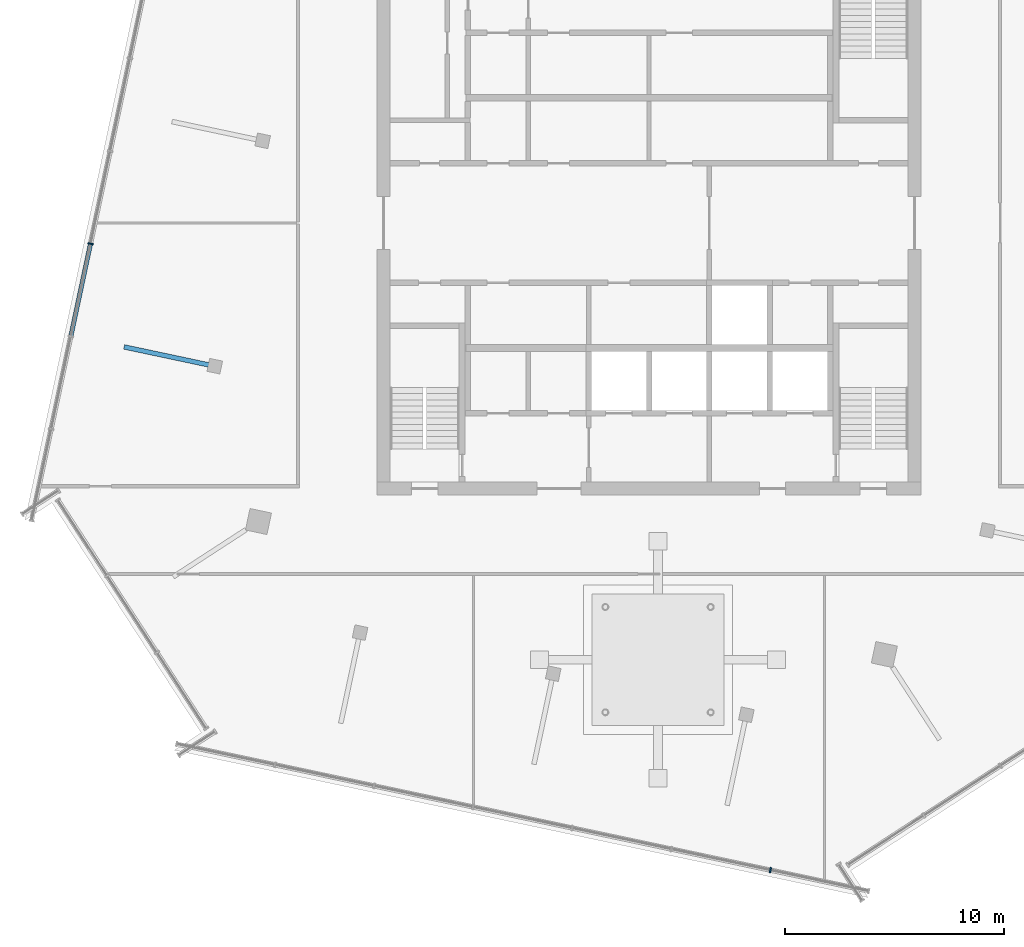
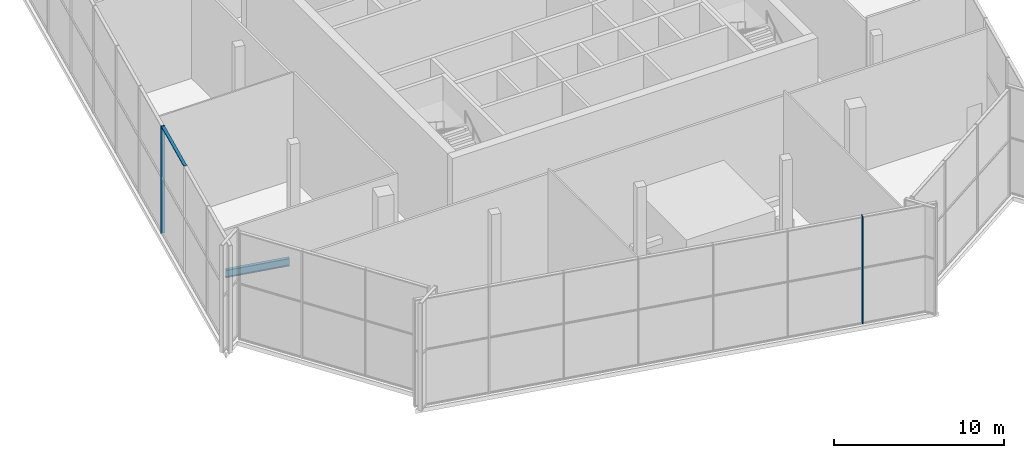
# One storey, part 3 of 14: 3 members, 1 beam, 2 elements without a shape of their own.
"""IFC4 building model written with IfcOpenShell, lengths in metres."""

from ifc_helpers import new_model, si_unit, direction, frame, origin, origin_2d, place, context, subcontext, project, spatial, rectangle, i_section, extrude, material, material_profile, profile_set, type_object, element, aggregate, save


model = new_model("IFC4")

# Units and contexts
model_context = context("Model", 3, precision=1e-05, world=origin(), true_north=direction((0.0, 1.0)))
body_context = subcontext(model_context, "Body", "Model", "MODEL_VIEW")
ifc_project = project(units=[si_unit("LENGTHUNIT", "METRE"), si_unit("AREAUNIT", "SQUARE_METRE"), si_unit("VOLUMEUNIT", "CUBIC_METRE"), si_unit("PLANEANGLEUNIT", "RADIAN"), si_unit("MASSUNIT", "GRAM", prefix="KILO")], contexts=[model_context])

# Site, building, storey
site_placement = place(None, origin())
site = spatial("IfcSite", under=ifc_project, at=site_placement, CompositionType="ELEMENT")
building_placement = place(site_placement, origin())
building = spatial("IfcBuilding", under=site, at=building_placement, Name="Dilmun Exchange Tower", CompositionType="ELEMENT")
storey_placement = place(building_placement, frame((0.0, 0.0, 350.10009765625)))
storey = spatial("IfcBuildingStorey", under=building, at=storey_placement, Name="Crown L83", CompositionType="ELEMENT", Elevation=350.10009765625)

# Curtain wall, member
ifc_material_1 = material(Name="Anodised aluminium and clear glass", Category="aluminium")
curtain_wall_type = type_object("IfcCurtainWallType", Name="Damper floor glazing", PredefinedType="NOTDEFINED", material=ifc_material_1)
curtain_wall_1_placement = place(storey_placement, origin())
curtain_wall_1 = element("IfcCurtainWall", 1, at=curtain_wall_1_placement, inside=storey, type_object=curtain_wall_type, Name="Damper floor glazing run DG3", PredefinedType="NOTDEFINED")
ifc_material_2 = material(Name="Anodised aluminium", Category="aluminium")
ifc_material_profile_1 = material_profile(ifc_material_2, rectangle(XDim=0.239990234375, YDim=0.070068359375, at=origin_2d()), Name="AL 70x240")
ifc_profile_set_1 = profile_set([ifc_material_profile_1], Name="Anodised aluminium")
member_type_1 = type_object("IfcMemberType", Name="Damper floor glazing mullion 70 x 240", PredefinedType="MULLION", material=ifc_profile_set_1)
member_1_placement = place(storey_placement, frame((5.5322265625, -29.494873046875, 0.0), z_axis=(0.0, 0.0, 1.0), x_axis=(0.207911409336, 0.978147660564, 0.0)))
member_1 = element("IfcMember", 2, at=member_1_placement, type_object=member_type_1, Name="DG3 mullion 7", PredefinedType="MULLION", context=body_context, shape_type="SweptSolid", body=[
    extrude(rectangle(XDim=0.239990234375, YDim=0.070068359375, at=origin_2d()), origin(), (0.0, 0.0, 1.0), 7.699951171875),
])
aggregate(curtain_wall_1, [member_1])

# Curtain wall, members
curtain_wall_2_placement = place(storey_placement, origin())
curtain_wall_2 = element("IfcCurtainWall", 3, at=curtain_wall_2_placement, inside=storey, type_object=curtain_wall_type, Name="Damper floor glazing run DG15", PredefinedType="NOTDEFINED")
member_2_placement = place(storey_placement, frame((-25.452880859375, -0.945556640625, 0.0), z_axis=(0.0, 0.0, 1.0), x_axis=(0.97814744202, -0.207912437508, 0.0)))
member_2 = element("IfcMember", 4, at=member_2_placement, type_object=member_type_1, Name="DG15 mullion 7", PredefinedType="MULLION", context=body_context, shape_type="SweptSolid", body=[
    extrude(rectangle(XDim=0.239990234375, YDim=0.070068359375, at=origin_2d()), origin(), (0.0, 0.0, 1.0), 7.699951171875),
])
ifc_material_profile_2 = material_profile(ifc_material_2, rectangle(XDim=0.199951171875, YDim=0.070068359375, at=origin_2d()), Name="AL 70x200")
ifc_profile_set_2 = profile_set([ifc_material_profile_2], Name="Anodised aluminium")
member_type_2 = type_object("IfcMemberType", Name="Damper floor glazing transom 70 x 200", PredefinedType="USERDEFINED", material=ifc_profile_set_2)
member_3_placement = place(storey_placement, frame((-25.460205078125, -0.97998046875, 7.664794921875), z_axis=(-0.207871138275, -0.978156219564, 0.0), x_axis=(0.978156219564, -0.207871138275, 0.0)))
member_3 = element("IfcMember", 5, at=member_3_placement, type_object=member_type_2, Name="DG15 transom 7.3", ObjectType="TRANSOM", PredefinedType="USERDEFINED", context=body_context, shape_type="SweptSolid", body=[
    extrude(rectangle(XDim=0.199951171875, YDim=0.070068359375, at=origin_2d()), origin(), (0.0, 0.0, 1.0), 4.24462890625),
])
aggregate(curtain_wall_2, [member_2, member_3])

# Beam
ifc_material_3 = material(Name="Steel S355", Category="steel")
ifc_material_profile_3 = material_profile(ifc_material_3, i_section(OverallWidth=0.2099609375, OverallDepth=0.550048828125, WebThickness=0.010986328125, FlangeThickness=0.01708984375, FilletRadius=0.02392578125, at=origin_2d()), Name="IPE 550")
ifc_profile_set_3 = profile_set([ifc_material_profile_3], Name="Steel S355")
beam_type = type_object("IfcBeamType", Name="crown cantilever beam IPE 550", PredefinedType="BEAM", material=ifc_profile_set_3)
beam_placement = place(storey_placement, frame((-20.056884765625, -6.47119140625, -0.5751953125), z_axis=(-0.978146596989, 0.207916413008, 0.0), x_axis=(-0.207916413008, -0.978146596989, 0.0)))
element("IfcBeam", 6, at=beam_placement, inside=storey, type_object=beam_type, Name="Crown cantilever beam 4", PredefinedType="BEAM", context=body_context, shape_type="SweptSolid", body=[
    extrude(i_section(OverallWidth=0.2099609375, OverallDepth=0.550048828125, WebThickness=0.010986328125, FlangeThickness=0.01708984375, FilletRadius=0.02392578125, at=origin_2d()), origin(), (0.0, 0.0, 1.0), 3.9501953125),
])

save(model, "model.ifc")
